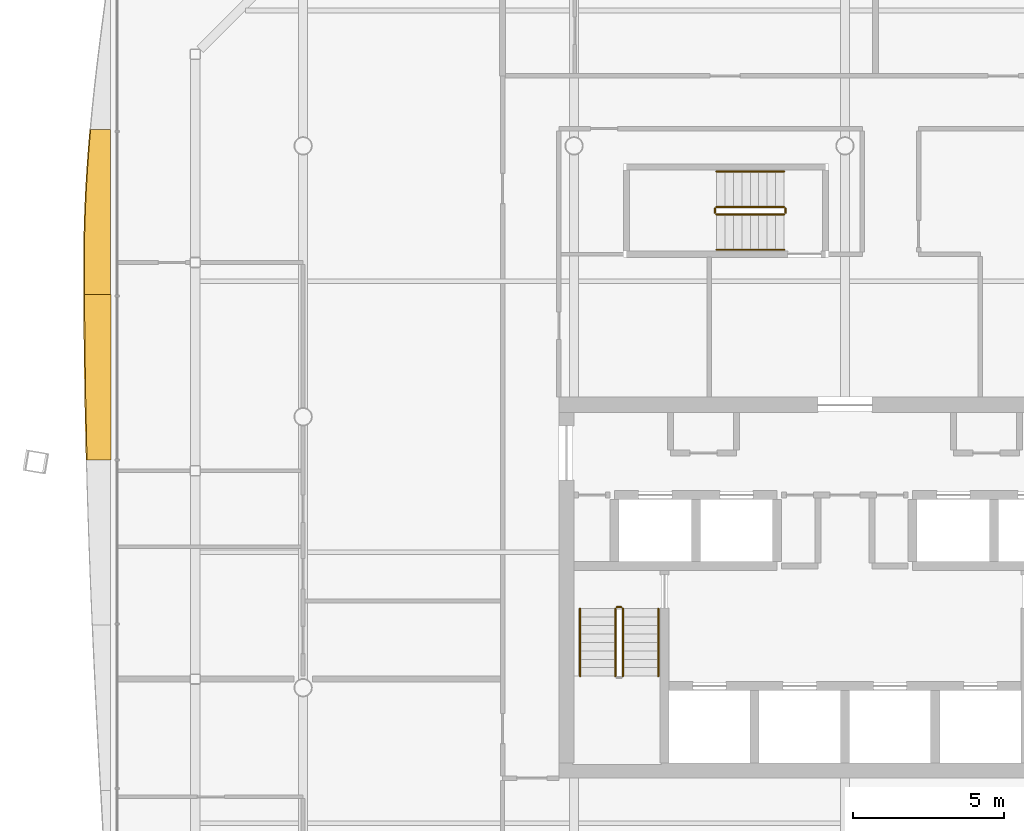
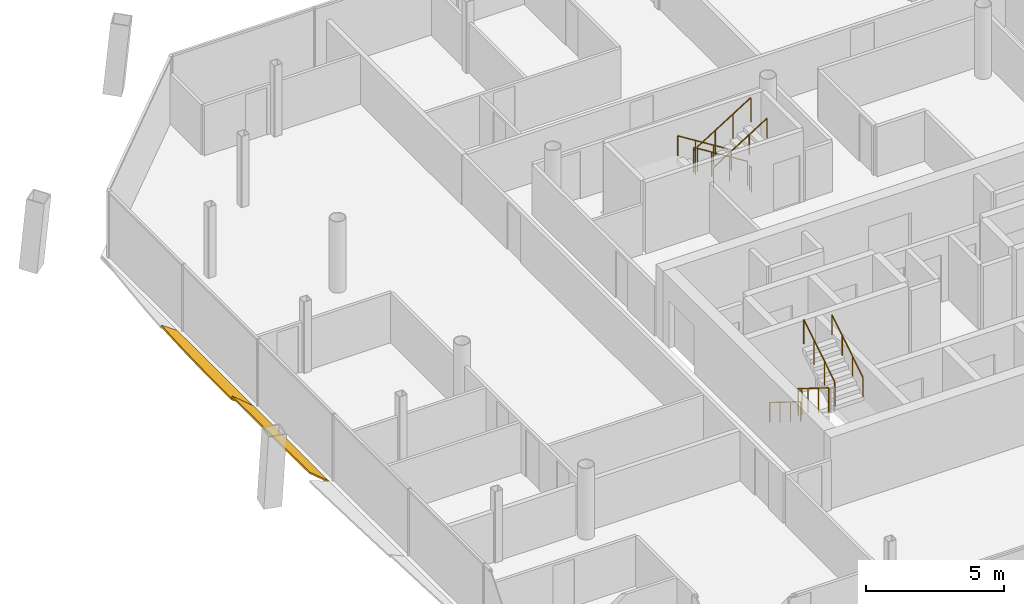
# One storey, part 18 of 20: 11 railings, 2 shading devices.
"""IFC4 building model written with IfcOpenShell, lengths in metres."""

from ifc_helpers import new_model, si_unit, direction, frame, origin, origin_2d, place, context, subcontext, project, spatial, polyline, circle, outline, extrude, material, layer, layer_set, type_object, element, save


model = new_model("IFC4")

# Units and contexts
model_context = context("Model", 3, precision=1e-05, world=origin(), true_north=direction((0.0, 1.0)))
body_context = subcontext(model_context, "Body", "Model", "MODEL_VIEW")
ifc_project = project(units=[si_unit("LENGTHUNIT", "METRE"), si_unit("AREAUNIT", "SQUARE_METRE"), si_unit("VOLUMEUNIT", "CUBIC_METRE"), si_unit("PLANEANGLEUNIT", "RADIAN"), si_unit("MASSUNIT", "GRAM", prefix="KILO")], contexts=[model_context])

# Site, building, storey
site_placement = place(None, origin())
site = spatial("IfcSite", under=ifc_project, at=site_placement, CompositionType="ELEMENT")
building_placement = place(site_placement, origin())
building = spatial("IfcBuilding", under=site, at=building_placement, Name="Tskaro Facet Tower", CompositionType="ELEMENT")
storey_placement = place(building_placement, frame((0.0, 0.0, 178.5)))
storey = spatial("IfcBuildingStorey", under=building, at=storey_placement, Name="L44", CompositionType="ELEMENT", Elevation=178.5)

# Shading devices
ifc_material_1 = material(Name="Bronze anodised aluminium 6063-T6", Category="aluminium")
ifc_layer = layer(ifc_material_1, 0.06005859375, Name="Bronze anodised aluminium 6063-T6")
ifc_layer_set = layer_set([ifc_layer], Name="Bronze anodised aluminium 6063-T6")
shading_device_type = type_object("IfcShadingDeviceType", Name="Bronze sun blade (FN1)", PredefinedType="USERDEFINED", material=ifc_layer_set)
shading_device_1_placement = place(storey_placement, frame((-24.3916015625, 9.545166015625, 0.049072265625), z_axis=(0.573647382185, 6.08177e-06, 0.81910236288), x_axis=(3.488792e-06, -0.999999999982, 4.981592e-06)))
element("IfcShadingDevice", 1, at=shading_device_1_placement, inside=storey, type_object=shading_device_type, Name="Fin blade west 2", ObjectType="FIN", PredefinedType="USERDEFINED", context=body_context, shape_type="SweptSolid", body=[
    extrude(outline(polyline([(0.0, 0.0), (5.489746093648472, 0.0), (5.4897460937675655, -1.0643815040940332), (4.803710937649009, -1.0664815903858404), (4.45776367239486, -1.0668216171790754), (4.117431640545096, -1.0652615338433191), (3.4311523433347113, -1.0530010428857102), (2.7448730474797602, -1.0280801086448599), (2.058593749573221, -0.991298635772033), (1.372558593524262, -0.9427367493652508), (0.6862792967438345, -0.8831344285433809), (-2.6591488788962406e-10, -0.813371703055709), (0.0, 0.0)])), origin(), (0.0, 0.0, -1.0), 0.06005859375),
])
shading_device_2_placement = place(storey_placement, frame((-24.387451171875, 4.055419921875, 0.0458984375), z_axis=(0.642804900984, 1.9473402e-05, 0.766029933418), x_axis=(1.2517598e-05, -0.99999999981, 1.4917209e-05)))
element("IfcShadingDevice", 2, at=shading_device_2_placement, inside=storey, type_object=shading_device_type, Name="Fin blade west 3", ObjectType="FIN", PredefinedType="USERDEFINED", context=body_context, shape_type="SweptSolid", body=[
    extrude(outline(polyline([(0.0, 0.0), (5.489990233334061, -9.300405217239967e-21), (5.489990235460729, -1.029521672926258), (4.80371093543622, -1.0513712688195367), (4.1174316416506604, -1.0709400385472803), (3.431152343764204, -1.0881011315556193), (2.745117186043702, -1.1030114826348631), (2.0588378902952993, -1.1154840727582624), (1.3725585935020548, -1.1253619671355086), (0.6862792962498093, -1.1329891195836592), (-2.047278726372172e-09, -1.138021576285657), (0.0, 0.0)])), origin(), (0.0, 0.0, -1.0), 0.06005859375),
])

# Railings
ifc_material_2 = material(Name="Stainless steel", Category="steel")
railing_type_1 = type_object("IfcRailingType", Name="RL-GUARD-1100", PredefinedType="GUARDRAIL", material=ifc_material_2)
railing_1_placement = place(storey_placement, frame((-7.625, -6.375, 0.175048828125)))
element("IfcRailing", 3, at=railing_1_placement, inside=storey, type_object=railing_type_1, Name="L44 ST-1 stair guard 1", PredefinedType="GUARDRAIL", context=body_context, shape_type="SweptSolid", body=[
    extrude(circle(Radius=0.02392578125, at=origin_2d()), frame((0.0, 0.0, 1.076171875), z_axis=(0.0, -0.848013881152, 0.529974015752), x_axis=(1.0, 0.0, 0.0)), (0.0, 0.0, 1.0), 2.641357421875),
    extrude(circle(Radius=0.02099609375, at=origin_2d()), origin(), (0.0, 0.0, 1.0), 1.052001953125),
    extrude(circle(Radius=0.02099609375, at=origin_2d()), frame((0.0, -0.74658203125, 0.466552734375)), (0.0, 0.0, 1.0), 1.052001953125),
    extrude(circle(Radius=0.02099609375, at=origin_2d()), frame((0.0, -1.493408203125, 0.933349609375)), (0.0, 0.0, 1.0), 1.052001953125),
    extrude(circle(Radius=0.02099609375, at=origin_2d()), frame((0.0, -2.239990234375, 1.39990234375)), (0.0, 0.0, 1.0), 1.052001953125),
])
railing_2_placement = place(storey_placement, frame((-7.375, -8.614990234375, 1.75)))
element("IfcRailing", 4, at=railing_2_placement, inside=storey, type_object=railing_type_1, Name="L44 ST-1 stair guard 3", PredefinedType="GUARDRAIL", context=body_context, shape_type="SweptSolid", body=[
    extrude(circle(Radius=0.02392578125, at=origin_2d()), frame((0.0, 0.0, 1.076171875), z_axis=(0.0, 0.848013881152, 0.529974015752), x_axis=(-1.0, 0.0, 0.0)), (0.0, 0.0, 1.0), 2.641357421875),
    extrude(circle(Radius=0.02099609375, at=origin_2d()), origin(), (0.0, 0.0, 1.0), 1.052001953125),
    extrude(circle(Radius=0.02099609375, at=origin_2d()), frame((0.0, 0.74658203125, 0.466552734375)), (0.0, 0.0, 1.0), 1.052001953125),
    extrude(circle(Radius=0.02099609375, at=origin_2d()), frame((0.0, 1.493408203125, 0.933349609375)), (0.0, 0.0, 1.0), 1.052001953125),
    extrude(circle(Radius=0.02099609375, at=origin_2d()), frame((0.0, 2.239990234375, 1.39990234375)), (0.0, 0.0, 1.0), 1.052001953125),
])
railing_3_placement = place(storey_placement, frame((-7.574951171875, -6.324951171875, 0.0)))
element("IfcRailing", 5, at=railing_3_placement, inside=storey, type_object=railing_type_1, Name="L44 ST-1 stair guard 4", PredefinedType="GUARDRAIL", context=body_context, shape_type="SweptSolid", body=[
    extrude(circle(Radius=0.02392578125, at=origin_2d()), frame((0.0, 0.0, 1.076171875), z_axis=(1.0, 0.0, 0.0), x_axis=(0.0, 1.0, 0.0)), (0.0, 0.0, 1.0), 0.14990234375),
    extrude(circle(Radius=0.02099609375, at=origin_2d()), origin(), (0.0, 0.0, 1.0), 1.052001953125),
    extrude(circle(Radius=0.02099609375, at=origin_2d()), frame((0.14990234375, 0.0, 0.0)), (0.0, 0.0, 1.0), 1.052001953125),
])
railing_4_placement = place(storey_placement, frame((-2.02490234375, 6.97509765625, 0.175048828125)))
element("IfcRailing", 6, at=railing_4_placement, inside=storey, type_object=railing_type_1, Name="L44 ST-3 stair guard 1", PredefinedType="GUARDRAIL", context=body_context, shape_type="SweptSolid", body=[
    extrude(circle(Radius=0.02392578125, at=origin_2d()), frame((0.0, 0.0, 1.076171875), z_axis=(-0.848013881152, 0.0, 0.529974015752), x_axis=(0.0, -1.0, 0.0)), (0.0, 0.0, 1.0), 2.641357421875),
    extrude(circle(Radius=0.02099609375, at=origin_2d()), origin(), (0.0, 0.0, 1.0), 1.052001953125),
    extrude(circle(Radius=0.02099609375, at=origin_2d()), frame((-0.74658203125, 0.0, 0.466552734375)), (0.0, 0.0, 1.0), 1.052001953125),
    extrude(circle(Radius=0.02099609375, at=origin_2d()), frame((-1.493408203125, 0.0, 0.933349609375)), (0.0, 0.0, 1.0), 1.052001953125),
    extrude(circle(Radius=0.02099609375, at=origin_2d()), frame((-2.239990234375, 0.0, 1.39990234375)), (0.0, 0.0, 1.0), 1.052001953125),
])
railing_5_placement = place(storey_placement, frame((-4.31494140625, 6.925048828125, 1.574951171875)))
element("IfcRailing", 7, at=railing_5_placement, inside=storey, type_object=railing_type_1, Name="L44 ST-3 stair guard 2", PredefinedType="GUARDRAIL", context=body_context, shape_type="SweptSolid", body=[
    extrude(circle(Radius=0.02392578125, at=origin_2d()), frame((0.0, 0.0, 1.076171875), z_axis=(0.0, -1.0, 0.0), x_axis=(1.0, 0.0, 0.0)), (0.0, 0.0, 1.0), 0.150146484375),
    extrude(circle(Radius=0.02099609375, at=origin_2d()), origin(), (0.0, 0.0, 1.0), 1.052001953125),
    extrude(circle(Radius=0.02099609375, at=origin_2d()), frame((0.0, -0.150146484375, 0.0)), (0.0, 0.0, 1.0), 1.052001953125),
])
railing_6_placement = place(storey_placement, frame((-4.264892578125, 6.72509765625, 1.75)))
element("IfcRailing", 8, at=railing_6_placement, inside=storey, type_object=railing_type_1, Name="L44 ST-3 stair guard 3", PredefinedType="GUARDRAIL", context=body_context, shape_type="SweptSolid", body=[
    extrude(circle(Radius=0.02392578125, at=origin_2d()), frame((0.0, 0.0, 1.076171875), z_axis=(0.848013881152, 0.0, 0.529974015752), x_axis=(0.0, 1.0, 0.0)), (0.0, 0.0, 1.0), 2.641357421875),
    extrude(circle(Radius=0.02099609375, at=origin_2d()), origin(), (0.0, 0.0, 1.0), 1.052001953125),
    extrude(circle(Radius=0.02099609375, at=origin_2d()), frame((0.74658203125, 0.0, 0.466552734375)), (0.0, 0.0, 1.0), 1.052001953125),
    extrude(circle(Radius=0.02099609375, at=origin_2d()), frame((1.493408203125, 0.0, 0.933349609375)), (0.0, 0.0, 1.0), 1.052001953125),
    extrude(circle(Radius=0.02099609375, at=origin_2d()), frame((2.239990234375, 0.0, 1.39990234375)), (0.0, 0.0, 1.0), 1.052001953125),
])
railing_7_placement = place(storey_placement, frame((-1.97509765625, 6.925048828125, 0.0)))
element("IfcRailing", 9, at=railing_7_placement, inside=storey, type_object=railing_type_1, Name="L44 ST-3 stair guard 4", PredefinedType="GUARDRAIL", context=body_context, shape_type="SweptSolid", body=[
    extrude(circle(Radius=0.02392578125, at=origin_2d()), frame((0.0, 0.0, 1.076171875), z_axis=(0.0, -1.0, 0.0), x_axis=(1.0, 0.0, 0.0)), (0.0, 0.0, 1.0), 0.150146484375),
    extrude(circle(Radius=0.02099609375, at=origin_2d()), origin(), (0.0, 0.0, 1.0), 1.052001953125),
    extrude(circle(Radius=0.02099609375, at=origin_2d()), frame((0.0, -0.150146484375, 0.0)), (0.0, 0.0, 1.0), 1.052001953125),
])
railing_type_2 = type_object("IfcRailingType", Name="RL-HANDRAIL-900", PredefinedType="HANDRAIL", material=ifc_material_2)
railing_8_placement = place(storey_placement, frame((-8.800048828125, -6.375, 0.175048828125)))
element("IfcRailing", 10, at=railing_8_placement, inside=storey, type_object=railing_type_2, Name="L44 ST-1 stair handrail 1", PredefinedType="HANDRAIL", context=body_context, shape_type="SweptSolid", body=[
    extrude(circle(Radius=0.02392578125, at=origin_2d()), frame((0.0, 0.0, 0.8759765625), z_axis=(0.0, -0.848013881152, 0.529974015752), x_axis=(1.0, 0.0, 0.0)), (0.0, 0.0, 1.0), 2.641357421875),
    extrude(circle(Radius=0.02099609375, at=origin_2d()), origin(), (0.0, 0.0, 1.0), 0.851806640625),
    extrude(circle(Radius=0.02099609375, at=origin_2d()), frame((0.0, -0.74658203125, 0.466552734375)), (0.0, 0.0, 1.0), 0.851806640625),
    extrude(circle(Radius=0.02099609375, at=origin_2d()), frame((0.0, -1.493408203125, 0.933349609375)), (0.0, 0.0, 1.0), 0.851806640625),
    extrude(circle(Radius=0.02099609375, at=origin_2d()), frame((0.0, -2.239990234375, 1.39990234375)), (0.0, 0.0, 1.0), 0.851806640625),
])
railing_9_placement = place(storey_placement, frame((-6.199951171875, -8.614990234375, 1.75)))
element("IfcRailing", 11, at=railing_9_placement, inside=storey, type_object=railing_type_2, Name="L44 ST-1 stair handrail 2", PredefinedType="HANDRAIL", context=body_context, shape_type="SweptSolid", body=[
    extrude(circle(Radius=0.02392578125, at=origin_2d()), frame((0.0, 0.0, 0.8759765625), z_axis=(0.0, 0.848013881152, 0.529974015752), x_axis=(-1.0, 0.0, 0.0)), (0.0, 0.0, 1.0), 2.641357421875),
    extrude(circle(Radius=0.02099609375, at=origin_2d()), origin(), (0.0, 0.0, 1.0), 0.851806640625),
    extrude(circle(Radius=0.02099609375, at=origin_2d()), frame((0.0, 0.74658203125, 0.466552734375)), (0.0, 0.0, 1.0), 0.851806640625),
    extrude(circle(Radius=0.02099609375, at=origin_2d()), frame((0.0, 1.493408203125, 0.933349609375)), (0.0, 0.0, 1.0), 0.851806640625),
    extrude(circle(Radius=0.02099609375, at=origin_2d()), frame((0.0, 2.239990234375, 1.39990234375)), (0.0, 0.0, 1.0), 0.851806640625),
])
railing_10_placement = place(storey_placement, frame((-2.02490234375, 8.14990234375, 0.175048828125)))
element("IfcRailing", 12, at=railing_10_placement, inside=storey, type_object=railing_type_2, Name="L44 ST-3 stair handrail 1", PredefinedType="HANDRAIL", context=body_context, shape_type="SweptSolid", body=[
    extrude(circle(Radius=0.02392578125, at=origin_2d()), frame((0.0, 0.0, 0.8759765625), z_axis=(-0.848013881152, 0.0, 0.529974015752), x_axis=(0.0, -1.0, 0.0)), (0.0, 0.0, 1.0), 2.641357421875),
    extrude(circle(Radius=0.02099609375, at=origin_2d()), origin(), (0.0, 0.0, 1.0), 0.851806640625),
    extrude(circle(Radius=0.02099609375, at=origin_2d()), frame((-0.74658203125, 0.0, 0.466552734375)), (0.0, 0.0, 1.0), 0.851806640625),
    extrude(circle(Radius=0.02099609375, at=origin_2d()), frame((-1.493408203125, 0.0, 0.933349609375)), (0.0, 0.0, 1.0), 0.851806640625),
    extrude(circle(Radius=0.02099609375, at=origin_2d()), frame((-2.239990234375, 0.0, 1.39990234375)), (0.0, 0.0, 1.0), 0.851806640625),
])
railing_11_placement = place(storey_placement, frame((-4.264892578125, 5.550048828125, 1.75)))
element("IfcRailing", 13, at=railing_11_placement, inside=storey, type_object=railing_type_2, Name="L44 ST-3 stair handrail 2", PredefinedType="HANDRAIL", context=body_context, shape_type="SweptSolid", body=[
    extrude(circle(Radius=0.02392578125, at=origin_2d()), frame((0.0, 0.0, 0.8759765625), z_axis=(0.848013881152, 0.0, 0.529974015752), x_axis=(0.0, 1.0, 0.0)), (0.0, 0.0, 1.0), 2.641357421875),
    extrude(circle(Radius=0.02099609375, at=origin_2d()), origin(), (0.0, 0.0, 1.0), 0.851806640625),
    extrude(circle(Radius=0.02099609375, at=origin_2d()), frame((0.74658203125, 0.0, 0.466552734375)), (0.0, 0.0, 1.0), 0.851806640625),
    extrude(circle(Radius=0.02099609375, at=origin_2d()), frame((1.493408203125, 0.0, 0.933349609375)), (0.0, 0.0, 1.0), 0.851806640625),
    extrude(circle(Radius=0.02099609375, at=origin_2d()), frame((2.239990234375, 0.0, 1.39990234375)), (0.0, 0.0, 1.0), 0.851806640625),
])

save(model, "model.ifc")
